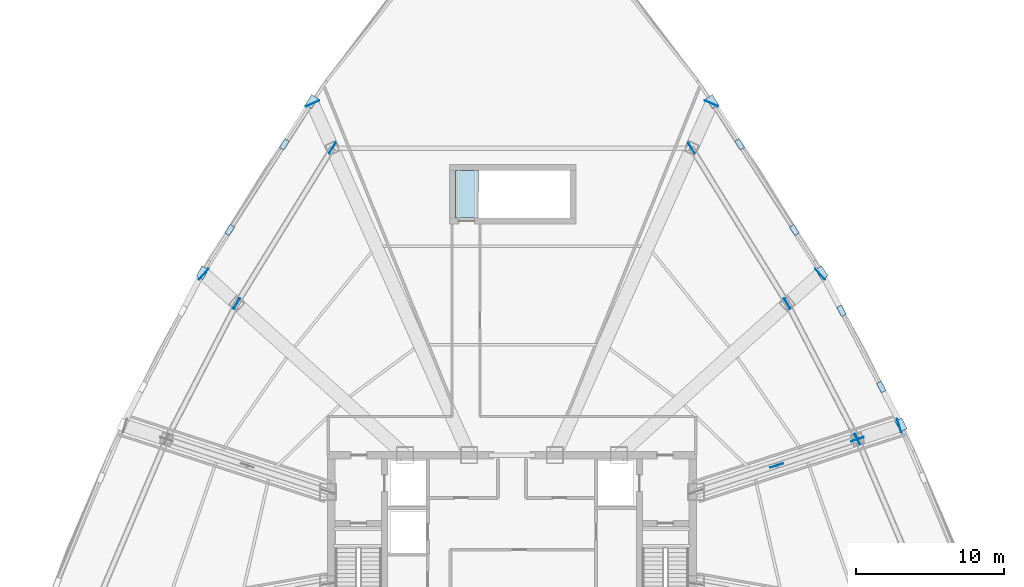
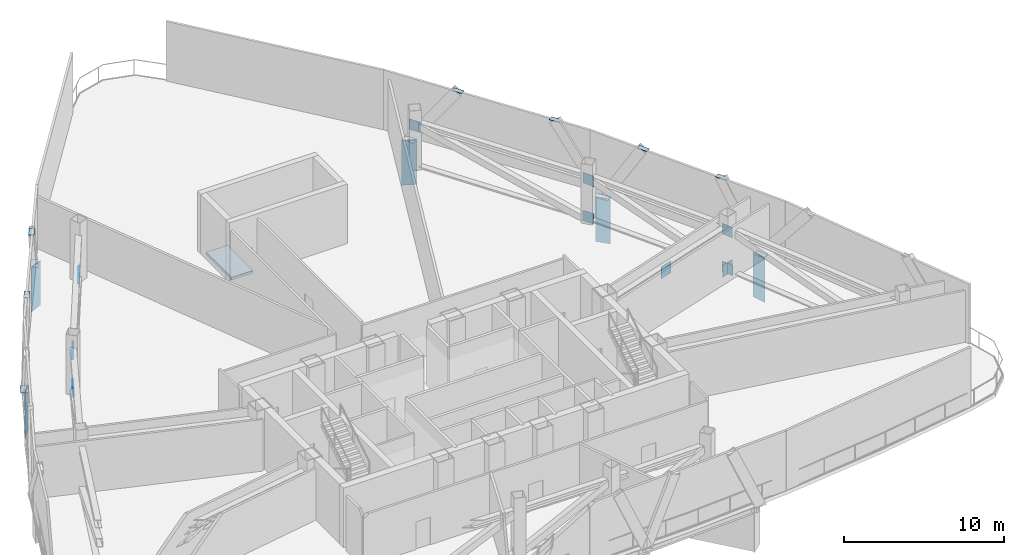
# One storey, part 7 of 13: 26 plates, 1 slab.
"""IFC4 building model written with IfcOpenShell, lengths in metres."""

from ifc_helpers import new_model, si_unit, direction, frame, origin, origin_2d, place, context, subcontext, project, spatial, polyline, rectangle, outline, extrude, source, transform, mapped, material, layer, layer_set, type_object, element, save


model = new_model("IFC4")

# Units and contexts
model_context = context("Model", 3, precision=1e-05, world=origin(), true_north=direction((0.0, 1.0)))
body_context = subcontext(model_context, "Body", "Model", "MODEL_VIEW")
ifc_project = project(units=[si_unit("LENGTHUNIT", "METRE"), si_unit("AREAUNIT", "SQUARE_METRE"), si_unit("VOLUMEUNIT", "CUBIC_METRE"), si_unit("PLANEANGLEUNIT", "RADIAN"), si_unit("MASSUNIT", "GRAM", prefix="KILO"), si_unit("THERMODYNAMICTEMPERATUREUNIT", "KELVIN"), si_unit("POWERUNIT", "WATT")], contexts=[model_context])

# Site, building, storey
site_placement = place(None, origin())
site = spatial("IfcSite", under=ifc_project, at=site_placement, CompositionType="ELEMENT")
building_placement = place(site_placement, origin())
building = spatial("IfcBuilding", under=site, at=building_placement, Name="Yunzhuo Pagoda Commons", CompositionType="ELEMENT")
storey_placement = place(building_placement, frame((0.0, 0.0, 272.760009765625)))
storey = spatial("IfcBuildingStorey", under=building, at=storey_placement, Name="L68", CompositionType="ELEMENT", Elevation=272.760009765625)

# Slab
ifc_material_1 = material(Name="Concrete C40", Category="concrete")
ifc_layer_1 = layer(ifc_material_1, 0.2041015625)
ifc_layer_set_1 = layer_set([ifc_layer_1], Name="Concrete C40")
slab_type = type_object("IfcSlabType", Name="SL-LND5 North Landing Slab 204", PredefinedType="LANDING", material=ifc_layer_set_1)
slab_placement = place(storey_placement, frame((0.0, 0.0, -0.199951171875)))
element("IfcSlab", 1, at=slab_placement, inside=storey, type_object=slab_type, Name="ST3 floor landing L68", PredefinedType="LANDING", context=body_context, shape_type="SweptSolid", body=[
    extrude(outline(polyline([(44.199951171875, 56.199951171875), (45.75, 56.199951171875), (45.75, 59.39990234375), (44.199951171875, 59.39990234375), (44.199951171875, 56.199951171875)])), origin(), (0.0, 0.0, 1.0), 0.199951171875),
])

# Plates
ifc_material_2 = material(Name="Structural steel Q420B", Category="steel")
ifc_layer_2 = layer(ifc_material_2, 0.0400390625)
ifc_layer_set_2 = layer_set([ifc_layer_2], Name="Structural steel Q420B")
plate_type_1 = type_object("IfcPlateType", Name="EP-TR2 Transfer Girder End Cap Plate 980x3540x40", PredefinedType="USERDEFINED", material=ifc_layer_set_2)
shared_shape_1 = source(origin(), body_context, "Body", "SweptSolid", [
    extrude(rectangle(XDim=0.97998046875, YDim=0.0400390625, at=origin_2d()), origin(), (0.0, 0.0, 1.0), 3.389892578125),
])
for number, where, z_axis, x_axis, name in (
    (2, (74.117919921875, 42.186279296875, -3.64990234375), (0.0, 0.0, 1.0), (-0.309016994375, 0.951056516295, 0.0), "L68 transfer girder end cap plate F2C2"),
    (3, (68.781005859375, 52.4111328125, -3.64990234375), (0.0, 0.0, 1.0), (-0.669130606359, 0.743144825477, 0.0), "L68 transfer girder end cap plate F2C3"),
    (4, (61.455078125, 63.92041015625, -3.64990234375), (0.0, 0.0, 1.0), (-0.913545457643, 0.406736643076, 0.0), "L68 transfer girder end cap plate F2C4"),
    (5, (34.544921875, 63.92041015625, -3.64990234375), (0.0, 0.0, 1.0), (-0.913545457643, -0.406736643076, 0.0), "L68 transfer girder end cap plate F3C1"),
    (6, (27.218994140625, 52.4111328125, -3.64990234375), (0.0, 0.0, 1.0), (-0.669130606359, -0.743144825477, 0.0), "L68 transfer girder end cap plate F3C2"),
):
    element("IfcPlate", number, at=place(storey_placement, frame(where, z_axis=z_axis, x_axis=x_axis)), inside=storey, type_object=plate_type_1, Name=name, ObjectType="END_PLATE", PredefinedType="USERDEFINED", context=body_context, shape_type="MappedRepresentation", body=[
        mapped(shared_shape_1, transform((0.0, 0.0, 0.0), scale=1.0)),
    ])
ifc_layer_3 = layer(ifc_material_2, 0.0400390625)
ifc_layer_set_3 = layer_set([ifc_layer_3], Name="Structural steel Q420B")
plate_type_2 = type_object("IfcPlateType", Name="GP-OT1 Outrigger Gusset Plate 900x500x900", PredefinedType="USERDEFINED", material=ifc_layer_set_3)
shared_shape_2 = source(origin(), body_context, "Body", "SweptSolid", [
    extrude(rectangle(XDim=0.89990234375, YDim=0.0400390625, at=origin_2d()), origin(), (0.0, 0.0, 1.0), 0.89990234375),
])
for number, where, z_axis, x_axis, name in (
    (7, (65.851318359375, 39.500244140625, 2.68994140625), (0.0, 0.0, 1.0), (0.951056516295, 0.309016994375, 0.0), "L68 outrigger apex gusset plate F2C2"),
    (8, (71.302490234375, 41.271484375, -0.179931640625), (0.0, 0.0, 1.0), (0.951056516295, 0.309016994375, 0.0), "L68 outrigger column gusset plate F2C2"),
):
    element("IfcPlate", number, at=place(storey_placement, frame(where, z_axis=z_axis, x_axis=x_axis)), inside=storey, type_object=plate_type_2, Name=name, ObjectType="GUSSET_PLATE", PredefinedType="USERDEFINED", context=body_context, shape_type="MappedRepresentation", body=[
        mapped(shared_shape_2, transform((0.0, 0.0, 0.0), scale=1.0)),
    ])
ifc_material_3 = material(Name="Structural steel Q355B", Category="steel")
ifc_layer_4 = layer(ifc_material_3, 0.028076171875)
ifc_layer_set_4 = layer_set([ifc_layer_4], Name="Structural steel Q355B")
plate_type_3 = type_object("IfcPlateType", Name="SP-ND1 Lattice Node Cap Plate 800x500x28", PredefinedType="USERDEFINED", material=ifc_layer_set_4)
shared_shape_3 = source(origin(), body_context, "Body", "SweptSolid", [
    extrude(rectangle(XDim=0.800048828125, YDim=0.0400390625, at=origin_2d()), origin(), (0.0, 0.0, 1.0), 0.800048828125),
])
for number, where, z_axis, x_axis, name in (
    (9, (71.302490234375, 41.271484375, 2.73974609375), (0.0, 0.0, 1.0), (-0.39074719427, 0.920498033768, 0.0), "L68 belt truss upper gusset plate 5"),
    (10, (71.302490234375, 41.271484375, -0.1298828125), (0.0, 0.0, 1.0), (-0.459052748957, 0.888409012604, 0.0), "L68 belt truss lower gusset plate 6"),
    (11, (66.5732421875, 50.423583984375, 2.73974609375), (0.0, 0.0, 1.0), (-0.459052748957, 0.888409012604, 0.0), "L68 belt truss upper gusset plate 6"),
    (12, (66.5732421875, 50.423583984375, -0.1298828125), (0.0, 0.0, 1.0), (-0.524461518281, 0.851434152382, 0.0), "L68 belt truss lower gusset plate 7"),
    (13, (60.1142578125, 60.9091796875, 2.73974609375), (0.0, 0.0, 1.0), (-0.524461518281, 0.851434152382, 0.0), "L68 belt truss upper gusset plate 7"),
    (14, (35.8857421875, 60.9091796875, -0.1298828125), (0.0, 0.0, 1.0), (-0.524461518281, -0.851434152382, 0.0), "L68 belt truss lower gusset plate 9"),
    (15, (29.4267578125, 50.423583984375, 2.73974609375), (0.0, 0.0, 1.0), (-0.524461518281, -0.851434152382, 0.0), "L68 belt truss upper gusset plate 9"),
    (16, (29.4267578125, 50.423583984375, -0.1298828125), (0.0, 0.0, 1.0), (-0.459052748957, -0.888409012604, 0.0), "L68 belt truss lower gusset plate 10"),
):
    element("IfcPlate", number, at=place(storey_placement, frame(where, z_axis=z_axis, x_axis=x_axis)), inside=storey, type_object=plate_type_3, Name=name, ObjectType="STIFFENER_PLATE", PredefinedType="USERDEFINED", context=body_context, shape_type="MappedRepresentation", body=[
        mapped(shared_shape_3, transform((0.0, 0.0, 0.0), scale=1.0)),
    ])
shared_shape_4 = source(origin(), body_context, "Body", "SweptSolid", [
    extrude(rectangle(XDim=0.800048828125, YDim=0.5, at=origin_2d()), origin(), (0.0, 0.0, 1.0), 0.028076171875),
])
for number, where, z_axis, x_axis, name in (
    (17, (74.248291015625, 42.228515625, -0.2939453125), (0.0, 0.0, 1.0), (-0.462909311772, 0.886405645895, 0.0), "L68 diamond node plate F2.2A"),
    (18, (68.8828125, 52.5029296875, -0.2939453125), (0.0, 0.0, 1.0), (-0.538256059632, 0.842781356147, 0.0), "L68 diamond node plate F2.3A"),
    (19, (61.5107421875, 64.045654296875, -0.2939453125), (0.0, 0.0, 1.0), (-0.538256059632, 0.842781356147, 0.0), "L68 diamond node plate F2.3B"),
    (20, (34.4892578125, 64.045654296875, -0.2939453125), (0.0, 0.0, 1.0), (-0.538256059632, -0.842781356147, 0.0), "L68 diamond node plate F3.1A"),
    (21, (27.1171875, 52.5029296875, -0.2939453125), (0.0, 0.0, 1.0), (-0.462909311772, -0.886405645895, 0.0), "L68 diamond node plate F3.2A"),
):
    element("IfcPlate", number, at=place(storey_placement, frame(where, z_axis=z_axis, x_axis=x_axis)), inside=storey, type_object=plate_type_3, Name=name, ObjectType="STIFFENER_PLATE", PredefinedType="USERDEFINED", context=body_context, shape_type="MappedRepresentation", body=[
        mapped(shared_shape_4, transform((0.0, 0.0, 0.0), scale=1.0)),
    ])
shared_shape_5 = source(origin(), body_context, "Body", "SweptSolid", [
    extrude(rectangle(XDim=0.699951171875, YDim=0.35009765625, at=origin_2d()), origin(), (0.0, 0.0, 1.0), 0.035888671875),
])
for number, where, z_axis, x_axis, name in (
    (22, (72.906982421875, 44.797119140625, 4.501953125), (0.0, 0.0, 1.0), (-0.462909311772, 0.886405645895, 0.0), "L68 setback lattice tie plate F2.2L"),
    (23, (70.22412109375, 49.934326171875, 4.501953125), (0.0, 0.0, 1.0), (-0.462909311772, 0.886405645895, 0.0), "L68 setback lattice tie plate F2.2R"),
    (24, (67.039794921875, 55.388671875, 4.501953125), (0.0, 0.0, 1.0), (-0.538256059632, 0.842781356147, 0.0), "L68 setback lattice tie plate F2.3L"),
    (25, (63.353759765625, 61.159912109375, 4.501953125), (0.0, 0.0, 1.0), (-0.538256059632, 0.842781356147, 0.0), "L68 setback lattice tie plate F2.3R"),
    (26, (32.646240234375, 61.159912109375, 4.501953125), (0.0, 0.0, 1.0), (-0.538256059632, -0.842781356147, 0.0), "L68 setback lattice tie plate F3.1L"),
    (27, (28.960205078125, 55.388671875, 4.501953125), (0.0, 0.0, 1.0), (-0.538256059632, -0.842781356147, 0.0), "L68 setback lattice tie plate F3.1R"),
):
    element("IfcPlate", number, at=place(storey_placement, frame(where, z_axis=z_axis, x_axis=x_axis)), inside=storey, type_object=plate_type_3, Name=name, ObjectType="STIFFENER_PLATE", PredefinedType="USERDEFINED", context=body_context, shape_type="MappedRepresentation", body=[
        mapped(shared_shape_5, transform((0.0, 0.0, 0.0), scale=1.0)),
    ])

save(model, "model.ifc")
